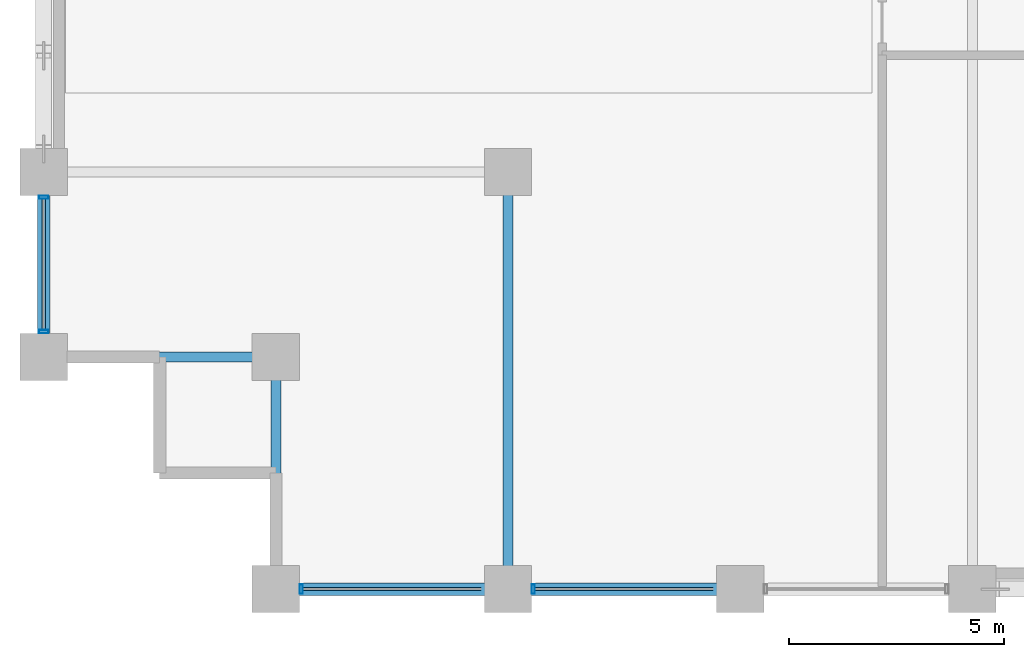
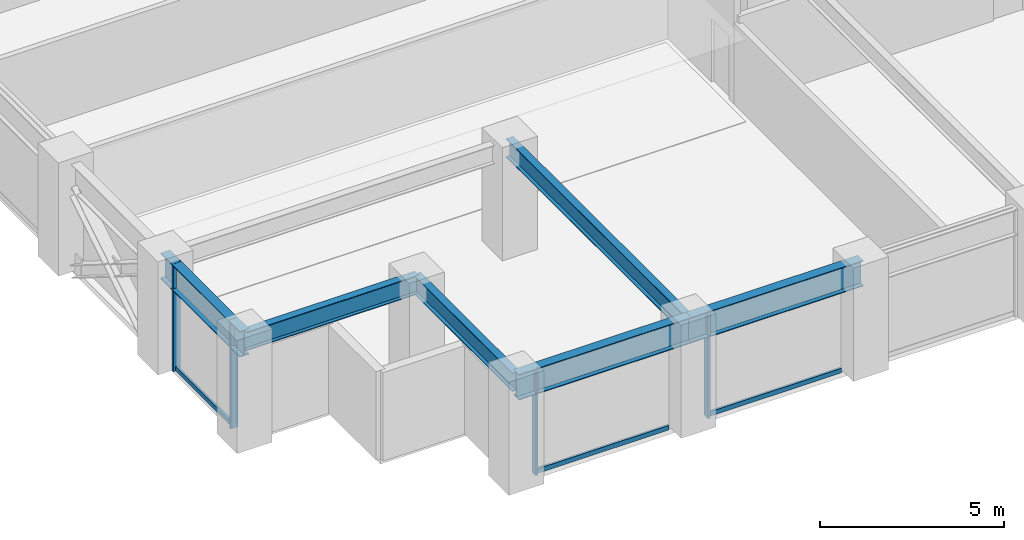
# One storey, part 2 of 25: 7 members, 6 beams, 2 elements without a shape of their own.
"""IFC4 building model written with IfcOpenShell, lengths in metres."""

from ifc_helpers import new_model, si_unit, direction, frame, origin, origin_2d, place, context, subcontext, project, spatial, hollow_rectangle, i_section, extrude, material, layer, layer_set, material_profile, profile_set, type_object, element, aggregate, save


model = new_model("IFC4")

# Units and contexts
model_context = context("Model", 3, precision=1e-05, world=origin(), true_north=direction((0.0, 1.0)))
body_context = subcontext(model_context, "Body", "Model", "MODEL_VIEW")
ifc_project = project(units=[si_unit("LENGTHUNIT", "METRE"), si_unit("AREAUNIT", "SQUARE_METRE"), si_unit("VOLUMEUNIT", "CUBIC_METRE"), si_unit("PLANEANGLEUNIT", "RADIAN"), si_unit("MASSUNIT", "GRAM", prefix="KILO")], contexts=[model_context])

# Site, building, storey
site_placement = place(None, origin())
site = spatial("IfcSite", under=ifc_project, at=site_placement, CompositionType="ELEMENT")
building_placement = place(site_placement, origin())
building = spatial("IfcBuilding", under=site, at=building_placement, Name="Surkhivell Harbour Commons", CompositionType="ELEMENT")
storey_placement = place(building_placement, frame((0.0, 0.0, 113.25)))
storey = spatial("IfcBuildingStorey", under=building, at=storey_placement, Name="L29", CompositionType="ELEMENT", Elevation=113.25)

# Beams
ifc_material_1 = material(Name="Steel S355", Category="steel")
ifc_material_profile_1 = material_profile(ifc_material_1, i_section(OverallWidth=0.22998046875, OverallDepth=0.616943359375, WebThickness=0.01318359375, FlangeThickness=0.022216796875, at=origin_2d()), Name="UB610x229x140")
ifc_profile_set_1 = profile_set([ifc_material_profile_1], Name="Steel S355")
beam_type_1 = type_object("IfcBeamType", Name="BM-GRD-610B", PredefinedType="BEAM", material=ifc_profile_set_1)
for number, where, z_axis, x_axis, name in (
    (1, (-32.39990234375, -20.5, 3.261474609375), (1.0, 0.0, 0.0), (0.0, 1.0, 0.0), "L29 Floor Girder (-32.4,-20.5)"),
    (2, (-27.0, -25.89990234375, 3.261474609375), (0.0, 1.0, 0.0), (-1.0, 0.0, 0.0), "L29 Floor Girder (-27.0,-25.9)"),
):
    element("IfcBeam", number, at=place(storey_placement, frame(where, z_axis=z_axis, x_axis=x_axis)), inside=storey, type_object=beam_type_1, Name=name, PredefinedType="BEAM", context=body_context, shape_type="SweptSolid", body=[
        extrude(i_section(OverallWidth=0.22998046875, OverallDepth=0.616943359375, WebThickness=0.01318359375, FlangeThickness=0.022216796875, at=origin_2d()), origin(), (0.0, 0.0, 1.0), 5.39990234375),
    ])
beam_1_placement = place(storey_placement, frame((-21.60009765625, -25.89990234375, 3.261474609375), z_axis=(0.0, 1.0, 0.0), x_axis=(-1.0, 0.0, 0.0)))
element("IfcBeam", 3, at=beam_1_placement, inside=storey, type_object=beam_type_1, Name="L29 Floor Girder (-21.6,-25.9)", PredefinedType="BEAM", context=body_context, shape_type="SweptSolid", body=[
    extrude(i_section(OverallWidth=0.22998046875, OverallDepth=0.616943359375, WebThickness=0.01318359375, FlangeThickness=0.022216796875, at=origin_2d()), origin(), (0.0, 0.0, 1.0), 9.699951171875),
])
ifc_material_2 = material(Name="Steel S460", Category="steel")
ifc_material_profile_2 = material_profile(ifc_material_2, i_section(OverallWidth=0.2939453125, OverallDepth=0.85107421875, WebThickness=0.01611328125, FlangeThickness=0.02685546875, at=origin_2d()), Name="UB838x292x226")
ifc_profile_set_2 = profile_set([ifc_material_profile_2], Name="Steel S460")
beam_type_2 = type_object("IfcBeamType", Name="BM-SPN-838", PredefinedType="SPANDREL", material=ifc_profile_set_2)
beam_2_placement = place(storey_placement, frame((-32.39990234375, -20.5, 3.14453125), z_axis=(0.0, 1.0, 0.0), x_axis=(-1.0, 0.0, 0.0)))
element("IfcBeam", 4, at=beam_2_placement, inside=storey, type_object=beam_type_2, Name="L29 Tube Spandrel (-32.4,-20.5)", PredefinedType="SPANDREL", context=body_context, shape_type="SweptSolid", body=[
    extrude(i_section(OverallWidth=0.2939453125, OverallDepth=0.85107421875, WebThickness=0.01611328125, FlangeThickness=0.02685546875, at=origin_2d()), origin(), (0.0, 0.0, 1.0), 4.300048828125),
])
beam_3_placement = place(storey_placement, frame((-27.0, -25.89990234375, 3.14453125), z_axis=(1.0, 0.0, 0.0), x_axis=(0.0, 1.0, 0.0)))
element("IfcBeam", 5, at=beam_3_placement, inside=storey, type_object=beam_type_2, Name="L29 Tube Spandrel (-27.0,-25.9)", PredefinedType="SPANDREL", context=body_context, shape_type="SweptSolid", body=[
    extrude(i_section(OverallWidth=0.2939453125, OverallDepth=0.85107421875, WebThickness=0.01611328125, FlangeThickness=0.02685546875, at=origin_2d()), origin(), (0.0, 0.0, 1.0), 5.39990234375),
])
beam_4_placement = place(storey_placement, frame((-21.60009765625, -25.89990234375, 3.14453125), z_axis=(1.0, 0.0, 0.0), x_axis=(0.0, 1.0, 0.0)))
element("IfcBeam", 6, at=beam_4_placement, inside=storey, type_object=beam_type_2, Name="L29 Tube Spandrel (-21.6,-25.9)", PredefinedType="SPANDREL", context=body_context, shape_type="SweptSolid", body=[
    extrude(i_section(OverallWidth=0.2939453125, OverallDepth=0.85107421875, WebThickness=0.01611328125, FlangeThickness=0.02685546875, at=origin_2d()), origin(), (0.0, 0.0, 1.0), 5.400146484375),
])

# Curtain wall, members
ifc_material_3 = material(Name="Anodised pale-metal aluminium and insulated glazing", Category="aluminium")
ifc_layer = layer(ifc_material_3, 0.205078125)
ifc_layer_set = layer_set([ifc_layer], Name="Anodised pale-metal aluminium and insulated glazing")
curtain_wall_type = type_object("IfcCurtainWallType", Name="CW-SYS-Z2", PredefinedType="NOTDEFINED", material=ifc_layer_set)
curtain_wall_1_placement = place(storey_placement, origin())
curtain_wall_1 = element("IfcCurtainWall", 7, at=curtain_wall_1_placement, inside=storey, type_object=curtain_wall_type, Name="L29 Curtain Wall CW-L29-E00S1", PredefinedType="NOTDEFINED")
ifc_material_4 = material(Name="Anodised pale-metal aluminium alloy 6063-T6", Category="aluminium")
ifc_material_profile_3 = material_profile(ifc_material_4, hollow_rectangle(XDim=0.074951171875, YDim=0.219970703125, WallThickness=0.00390625, at=origin_2d()), Name="ALU-MULL-75x220")
ifc_profile_set_3 = profile_set([ifc_material_profile_3], Name="Anodised pale-metal aluminium alloy 6063-T6")
member_type_1 = type_object("IfcMemberType", Name="CWM-220", PredefinedType="MULLION", material=ifc_profile_set_3)
member_1_placement = place(storey_placement, frame((-26.410400390625, -25.89990234375, 0.0), z_axis=(0.0, 0.0, 1.0), x_axis=(1.0, 0.0, 0.0)))
member_1 = element("IfcMember", 8, at=member_1_placement, type_object=member_type_1, Name="CW-Z2 mullion 1", PredefinedType="MULLION", context=body_context, shape_type="SweptSolid", body=[
    extrude(hollow_rectangle(XDim=0.074951171875, YDim=0.219970703125, WallThickness=0.00390625, at=origin_2d()), origin(), (0.0, 0.0, 1.0), 3.570068359375),
])
member_2_placement = place(storey_placement, frame((-21.010498046875, -25.89990234375, 0.0), z_axis=(0.0, 0.0, 1.0), x_axis=(1.0, 0.0, 0.0)))
member_2 = element("IfcMember", 9, at=member_2_placement, type_object=member_type_1, Name="CW-Z2 mullion 2", PredefinedType="MULLION", context=body_context, shape_type="SweptSolid", body=[
    extrude(hollow_rectangle(XDim=0.074951171875, YDim=0.219970703125, WallThickness=0.00390625, at=origin_2d()), origin(), (0.0, 0.0, 1.0), 3.570068359375),
])

curtain_wall_2_placement = place(storey_placement, origin())
curtain_wall_2 = element("IfcCurtainWall", 10, at=curtain_wall_2_placement, inside=storey, type_object=curtain_wall_type, Name="L29 Curtain Wall CW-L29-E12S2", PredefinedType="NOTDEFINED")
member_3_placement = place(storey_placement, frame((-32.39990234375, -16.78955078125, 0.0), z_axis=(0.0, 0.0, 1.0), x_axis=(0.0, -1.0, 0.0)))
member_3 = element("IfcMember", 11, at=member_3_placement, type_object=member_type_1, Name="CW-Z2 mullion 1", PredefinedType="MULLION", context=body_context, shape_type="SweptSolid", body=[
    extrude(hollow_rectangle(XDim=0.074951171875, YDim=0.219970703125, WallThickness=0.00390625, at=origin_2d()), origin(), (0.0, 0.0, 1.0), 3.570068359375),
])
member_4_placement = place(storey_placement, frame((-32.39990234375, -19.910400390625, 0.0), z_axis=(0.0, 0.0, 1.0), x_axis=(0.0, -1.0, 0.0)))
member_4 = element("IfcMember", 12, at=member_4_placement, type_object=member_type_1, Name="CW-Z2 mullion 2", PredefinedType="MULLION", context=body_context, shape_type="SweptSolid", body=[
    extrude(hollow_rectangle(XDim=0.074951171875, YDim=0.219970703125, WallThickness=0.00390625, at=origin_2d()), origin(), (0.0, 0.0, 1.0), 3.570068359375),
])

# Member
ifc_material_profile_4 = material_profile(ifc_material_4, hollow_rectangle(XDim=0.074951171875, YDim=0.14990234375, WallThickness=0.00341796875, at=origin_2d()), Name="ALU-TRAN-75x150")
ifc_profile_set_4 = profile_set([ifc_material_profile_4], Name="Anodised pale-metal aluminium alloy 6063-T6")
member_type_2 = type_object("IfcMemberType", Name="CWT-150", PredefinedType="USERDEFINED", material=ifc_profile_set_4)
member_5_placement = place(storey_placement, frame((-26.373046875, -25.89990234375, 0.074951171875), z_axis=(1.0, 0.0, 0.0), x_axis=(0.0, 1.0, 0.0)))
member_5 = element("IfcMember", 13, at=member_5_placement, type_object=member_type_2, Name="CW-Z2 transom 1.1", ObjectType="TRANSOM", PredefinedType="USERDEFINED", context=body_context, shape_type="SweptSolid", body=[
    extrude(hollow_rectangle(XDim=0.074951171875, YDim=0.14990234375, WallThickness=0.00341796875, at=origin_2d()), origin(), (0.0, 0.0, 1.0), 4.14599609375),
])

member_6_placement = place(storey_placement, frame((-20.972900390625, -25.89990234375, 0.074951171875), z_axis=(1.0, 0.0, 0.0), x_axis=(0.0, 1.0, 0.0)))
member_6 = element("IfcMember", 14, at=member_6_placement, type_object=member_type_2, Name="CW-Z2 transom 2.1", ObjectType="TRANSOM", PredefinedType="USERDEFINED", context=body_context, shape_type="SweptSolid", body=[
    extrude(hollow_rectangle(XDim=0.074951171875, YDim=0.14990234375, WallThickness=0.00341796875, at=origin_2d()), origin(), (0.0, 0.0, 1.0), 4.14599609375),
])

aggregate(curtain_wall_1, [member_1, member_5, member_2, member_6])

member_7_placement = place(storey_placement, frame((-32.39990234375, -16.826904296875, 0.074951171875), z_axis=(0.0, -1.0, 0.0), x_axis=(1.0, 0.0, 0.0)))
member_7 = element("IfcMember", 15, at=member_7_placement, type_object=member_type_2, Name="CW-Z2 transom 1.1", ObjectType="TRANSOM", PredefinedType="USERDEFINED", context=body_context, shape_type="SweptSolid", body=[
    extrude(hollow_rectangle(XDim=0.074951171875, YDim=0.14990234375, WallThickness=0.00341796875, at=origin_2d()), origin(), (0.0, 0.0, 1.0), 3.046142578125),
])

aggregate(curtain_wall_2, [member_3, member_4, member_7])

save(model, "model.ifc")
